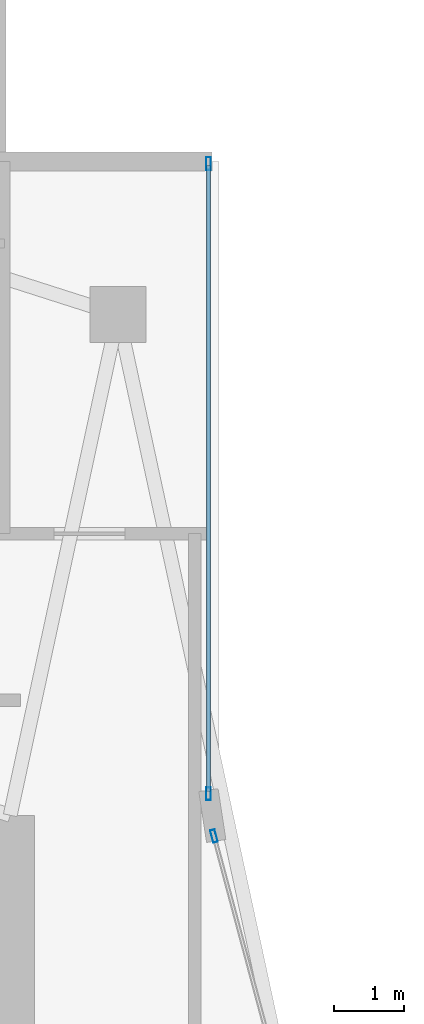
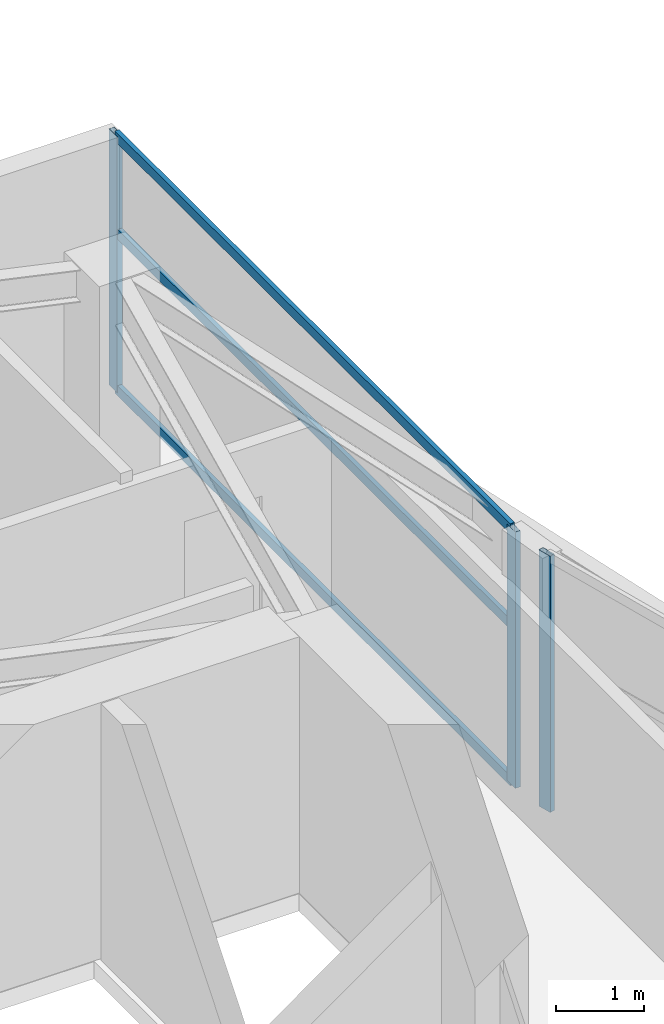
# One storey, part 19 of 29: 6 members, 2 elements without a shape of their own.
"""IFC4 building model written with IfcOpenShell, lengths in metres."""

from ifc_helpers import new_model, si_unit, direction, frame, origin, origin_2d, place, context, subcontext, project, spatial, hollow_rectangle, extrude, material, layer, layer_set, material_profile, profile_set, type_object, element, aggregate, save


model = new_model("IFC4")

# Units and contexts
model_context = context("Model", 3, precision=1e-05, world=origin(), true_north=direction((0.0, 1.0)))
body_context = subcontext(model_context, "Body", "Model", "MODEL_VIEW")
ifc_project = project(units=[si_unit("LENGTHUNIT", "METRE"), si_unit("AREAUNIT", "SQUARE_METRE"), si_unit("VOLUMEUNIT", "CUBIC_METRE"), si_unit("PLANEANGLEUNIT", "RADIAN"), si_unit("MASSUNIT", "GRAM", prefix="KILO")], contexts=[model_context])

# Site, building, storey
site_placement = place(None, origin())
site = spatial("IfcSite", under=ifc_project, at=site_placement, CompositionType="ELEMENT")
building_placement = place(site_placement, origin())
building = spatial("IfcBuilding", under=site, at=building_placement, Name="Calvorn Quay Hotel", CompositionType="ELEMENT")
storey_placement = place(building_placement, frame((0.0, 0.0, 211.0)))
storey = spatial("IfcBuildingStorey", under=building, at=storey_placement, Name="L52", CompositionType="ELEMENT", Elevation=211.0)

# Curtain wall, member
ifc_material_1 = material(Name="Champagne Bronze Anodised Aluminium and Low-E Glass", Category="aluminium")
ifc_layer = layer(ifc_material_1, 0.219970703125)
ifc_layer_set = layer_set([ifc_layer], Name="CW-SYS-Z3")
curtain_wall_type = type_object("IfcCurtainWallType", Name="CW-SYS-Z3", PredefinedType="NOTDEFINED", material=ifc_layer_set)
curtain_wall_1_placement = place(storey_placement, origin())
curtain_wall_1 = element("IfcCurtainWall", 1, at=curtain_wall_1_placement, inside=storey, type_object=curtain_wall_type, Name="Inner Court Curtain Wall L52-IC1", PredefinedType="NOTDEFINED")
ifc_material_2 = material(Name="Champagne Bronze Anodised Aluminium 6063-T6", Category="aluminium")
ifc_material_profile_1 = material_profile(ifc_material_2, hollow_rectangle(XDim=0.068115234375, YDim=0.18505859375, WallThickness=0.00390625, at=origin_2d()), Name="ALU-M185x68x4")
ifc_profile_set_1 = profile_set([ifc_material_profile_1], Name="Champagne Bronze Anodised Aluminium 6063-T6")
member_type_1 = type_object("IfcMemberType", Name="CW-SYS-Z3-MUL", PredefinedType="MULLION", material=ifc_profile_set_1)
member_1_placement = place(storey_placement, frame((17.9296875, 38.10107421875, 0.0), z_axis=(0.0, 0.0, 1.0), x_axis=(-0.96593652056, -0.25877913024, 0.0)))
member_1 = element("IfcMember", 2, at=member_1_placement, type_object=member_type_1, Name="CW-L52-IC1 mullion 2", PredefinedType="MULLION", context=body_context, shape_type="SweptSolid", body=[
    extrude(hollow_rectangle(XDim=0.068115234375, YDim=0.18505859375, WallThickness=0.00390625, at=origin_2d()), origin(), (0.0, 0.0, 1.0), 3.56005859375),
])
aggregate(curtain_wall_1, [member_1])

# Curtain wall, members
curtain_wall_2_placement = place(storey_placement, origin())
curtain_wall_2 = element("IfcCurtainWall", 3, at=curtain_wall_2_placement, inside=storey, type_object=curtain_wall_type, Name="Inner Court Curtain Wall L52-IC2", PredefinedType="NOTDEFINED")
member_2_placement = place(storey_placement, frame((17.85009765625, 38.7099609375, 0.0), z_axis=(0.0, 0.0, 1.0), x_axis=(-1.0, 0.0, 0.0)))
member_2 = element("IfcMember", 4, at=member_2_placement, type_object=member_type_1, Name="CW-L52-IC2 mullion 1", PredefinedType="MULLION", context=body_context, shape_type="SweptSolid", body=[
    extrude(hollow_rectangle(XDim=0.068115234375, YDim=0.18505859375, WallThickness=0.00390625, at=origin_2d()), origin(), (0.0, 0.0, 1.0), 3.56005859375),
])
member_3_placement = place(storey_placement, frame((17.85009765625, 47.77001953125, 0.0), z_axis=(0.0, 0.0, 1.0), x_axis=(-1.0, 0.0, 0.0)))
member_3 = element("IfcMember", 5, at=member_3_placement, type_object=member_type_1, Name="CW-L52-IC2 mullion 2", PredefinedType="MULLION", context=body_context, shape_type="SweptSolid", body=[
    extrude(hollow_rectangle(XDim=0.068115234375, YDim=0.18505859375, WallThickness=0.00390625, at=origin_2d()), origin(), (0.0, 0.0, 1.0), 3.56005859375),
])
ifc_material_3 = material(Name="Champagne Bronze Anodised Aluminium 6063-T6", Category="aluminium")
ifc_material_profile_2 = material_profile(ifc_material_3, hollow_rectangle(XDim=0.05810546875, YDim=0.139892578125, WallThickness=0.003173828125, at=origin_2d()), Name="ALU-T140x58x3.2")
ifc_profile_set_2 = profile_set([ifc_material_profile_2], Name="Champagne Bronze Anodised Aluminium 6063-T6")
member_type_2 = type_object("IfcMemberType", Name="CW-SYS-Z3-TRN", PredefinedType="USERDEFINED", material=ifc_profile_set_2)
member_4_placement = place(storey_placement, frame((17.85009765625, 38.739990234375, 0.030029296875), z_axis=(0.0, 1.0, 0.0), x_axis=(-1.0, 0.0, 0.0)))
member_4 = element("IfcMember", 6, at=member_4_placement, type_object=member_type_2, Name="CW-L52-IC2 transom 1.1", ObjectType="TRANSOM", PredefinedType="USERDEFINED", context=body_context, shape_type="SweptSolid", body=[
    extrude(hollow_rectangle(XDim=0.05810546875, YDim=0.139892578125, WallThickness=0.003173828125, at=origin_2d()), origin(), (0.0, 0.0, 1.0), 9.0),
])
member_5_placement = place(storey_placement, frame((17.85009765625, 38.739990234375, 2.199951171875), z_axis=(0.0, 1.0, 0.0), x_axis=(-1.0, 0.0, 0.0)))
member_5 = element("IfcMember", 7, at=member_5_placement, type_object=member_type_2, Name="CW-L52-IC2 transom 1.2", ObjectType="TRANSOM", PredefinedType="USERDEFINED", context=body_context, shape_type="SweptSolid", body=[
    extrude(hollow_rectangle(XDim=0.05810546875, YDim=0.139892578125, WallThickness=0.003173828125, at=origin_2d()), origin(), (0.0, 0.0, 1.0), 9.0),
])
member_6_placement = place(storey_placement, frame((17.85009765625, 38.739990234375, 3.530029296875), z_axis=(0.0, 1.0, 0.0), x_axis=(-1.0, 0.0, 0.0)))
member_6 = element("IfcMember", 8, at=member_6_placement, type_object=member_type_2, Name="CW-L52-IC2 transom 1.3", ObjectType="TRANSOM", PredefinedType="USERDEFINED", context=body_context, shape_type="SweptSolid", body=[
    extrude(hollow_rectangle(XDim=0.05810546875, YDim=0.139892578125, WallThickness=0.003173828125, at=origin_2d()), origin(), (0.0, 0.0, 1.0), 9.0),
])
aggregate(curtain_wall_2, [member_2, member_3, member_4, member_5, member_6])

save(model, "model.ifc")
